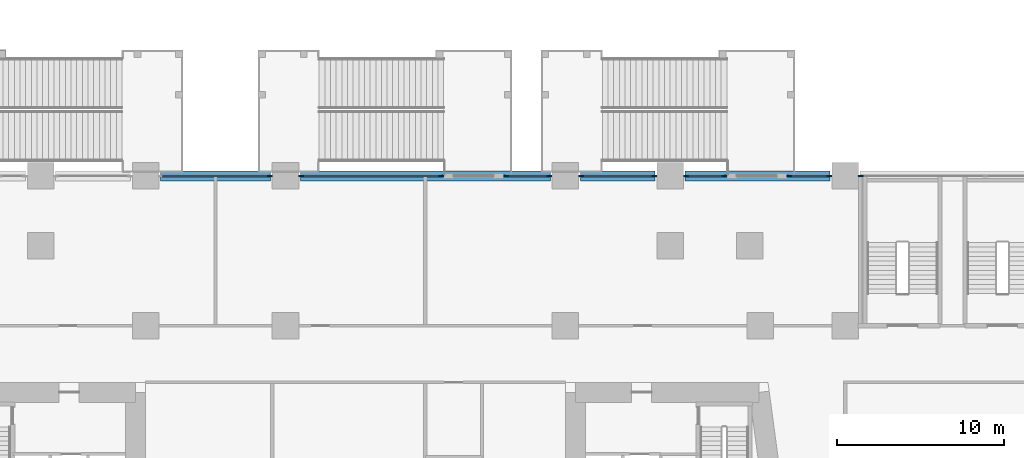
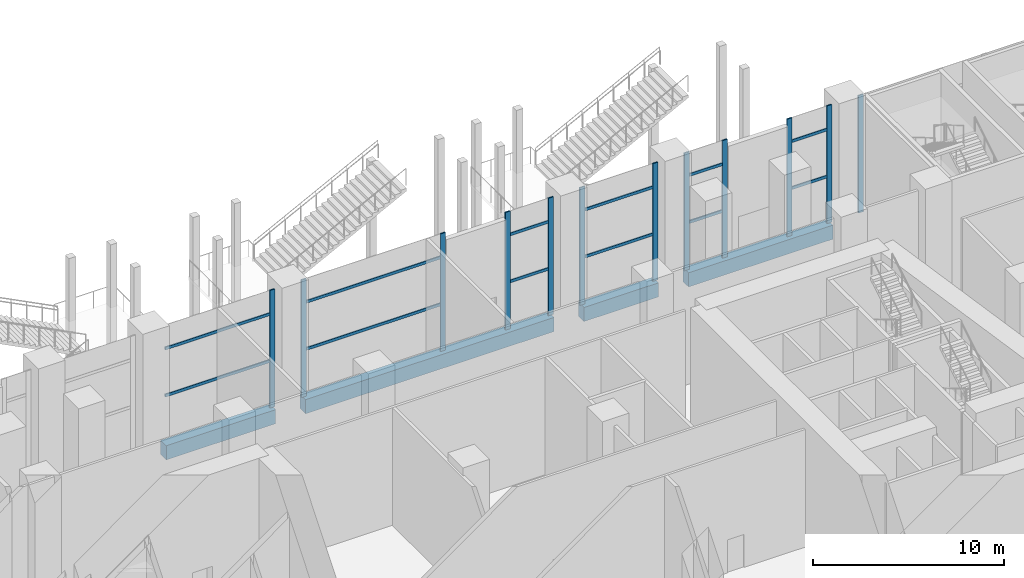
# One storey, part 11 of 52: 24 members, 4 beams, 7 elements without a shape of their own.
"""IFC4 building model written with IfcOpenShell, lengths in metres."""

from ifc_helpers import new_model, si_unit, direction, frame, origin, origin_2d, place, context, subcontext, project, spatial, rectangle, extrude, material, material_profile, profile_set, type_object, element, aggregate, save


model = new_model("IFC4")

# Units and contexts
model_context = context("Model", 3, precision=1e-05, world=origin(), true_north=direction((0.0, 1.0)))
body_context = subcontext(model_context, "Body", "Model", "MODEL_VIEW")
ifc_project = project(units=[si_unit("LENGTHUNIT", "METRE"), si_unit("AREAUNIT", "SQUARE_METRE"), si_unit("VOLUMEUNIT", "CUBIC_METRE"), si_unit("PLANEANGLEUNIT", "RADIAN"), si_unit("MASSUNIT", "GRAM", prefix="KILO")], contexts=[model_context])

# Site, building, storey
site_placement = place(None, origin())
site = spatial("IfcSite", under=ifc_project, at=site_placement, CompositionType="ELEMENT")
building_placement = place(site_placement, origin())
building = spatial("IfcBuilding", under=site, at=building_placement, Name="Candeia Pilgrim Tower and Theatre", CompositionType="ELEMENT")
storey_placement = place(building_placement, frame((0.0, 0.0, 9.0)))
storey = spatial("IfcBuildingStorey", under=building, at=storey_placement, Name="L01", CompositionType="ELEMENT", Elevation=9.0)

# Curtain wall, member
ifc_material_1 = material(Name="Aluminium framed podium glazing", Category="aluminium")
curtain_wall_type = type_object("IfcCurtainWallType", Name="CW-P curtain wall", PredefinedType="NOTDEFINED", material=ifc_material_1)
curtain_wall_1_placement = place(storey_placement, origin())
curtain_wall_1 = element("IfcCurtainWall", 1, at=curtain_wall_1_placement, inside=storey, type_object=curtain_wall_type, Name="Curtain wall CW-P L01.130", PredefinedType="NOTDEFINED")
ifc_material_2 = material(Name="Anodised aluminium", Category="aluminium")
ifc_material_profile_1 = material_profile(ifc_material_2, rectangle(XDim=0.080078125, YDim=0.300048828125, at=origin_2d()))
ifc_profile_set_1 = profile_set([ifc_material_profile_1], Name="Anodised aluminium")
member_type_1 = type_object("IfcMemberType", Name="CW-P mullion 80x300", PredefinedType="MULLION", material=ifc_profile_set_1)
member_1_placement = place(storey_placement, frame((108.25, 144.800048828125, 0.0), z_axis=(0.0, 0.0, 1.0), x_axis=(0.0, 1.0, 0.0)))
member_1 = element("IfcMember", 2, at=member_1_placement, type_object=member_type_1, Name="CW-P mullion 2", PredefinedType="MULLION", context=body_context, shape_type="SweptSolid", body=[
    extrude(rectangle(XDim=0.080078125, YDim=0.300048828125, at=origin_2d()), origin(), (0.0, 0.0, 1.0), 7.5),
])

# Curtain wall, members
curtain_wall_2_placement = place(storey_placement, origin())
curtain_wall_2 = element("IfcCurtainWall", 3, at=curtain_wall_2_placement, inside=storey, type_object=curtain_wall_type, Name="Curtain wall CW-P L01.140", PredefinedType="NOTDEFINED")
member_2_placement = place(storey_placement, frame((110.14990234375, 144.800048828125, 0.0), z_axis=(0.0, 0.0, 1.0), x_axis=(0.0, 1.0, 0.0)))
member_2 = element("IfcMember", 4, at=member_2_placement, type_object=member_type_1, Name="CW-P mullion 1", PredefinedType="MULLION", context=body_context, shape_type="SweptSolid", body=[
    extrude(rectangle(XDim=0.080078125, YDim=0.300048828125, at=origin_2d()), origin(), (0.0, 0.0, 1.0), 7.5),
])
member_3_placement = place(storey_placement, frame((118.550048828125, 144.800048828125, 0.0), z_axis=(0.0, 0.0, 1.0), x_axis=(0.0, 1.0, 0.0)))
member_3 = element("IfcMember", 5, at=member_3_placement, type_object=member_type_1, Name="CW-P mullion 2", PredefinedType="MULLION", context=body_context, shape_type="SweptSolid", body=[
    extrude(rectangle(XDim=0.080078125, YDim=0.300048828125, at=origin_2d()), origin(), (0.0, 0.0, 1.0), 7.5),
])

curtain_wall_3_placement = place(storey_placement, origin())
curtain_wall_3 = element("IfcCurtainWall", 6, at=curtain_wall_3_placement, inside=storey, type_object=curtain_wall_type, Name="Curtain wall CW-P L01.141", PredefinedType="NOTDEFINED")
member_4_placement = place(storey_placement, frame((122.449951171875, 144.800048828125, 0.0), z_axis=(0.0, 0.0, 1.0), x_axis=(0.0, 1.0, 0.0)))
member_4 = element("IfcMember", 7, at=member_4_placement, type_object=member_type_1, Name="CW-P mullion 1", PredefinedType="MULLION", context=body_context, shape_type="SweptSolid", body=[
    extrude(rectangle(XDim=0.080078125, YDim=0.300048828125, at=origin_2d()), origin(), (0.0, 0.0, 1.0), 7.5),
])
member_5_placement = place(storey_placement, frame((125.050048828125, 144.800048828125, 0.0), z_axis=(0.0, 0.0, 1.0), x_axis=(0.0, 1.0, 0.0)))
member_5 = element("IfcMember", 8, at=member_5_placement, type_object=member_type_1, Name="CW-P mullion 2", PredefinedType="MULLION", context=body_context, shape_type="SweptSolid", body=[
    extrude(rectangle(XDim=0.080078125, YDim=0.300048828125, at=origin_2d()), origin(), (0.0, 0.0, 1.0), 7.5),
])

curtain_wall_4_placement = place(storey_placement, origin())
curtain_wall_4 = element("IfcCurtainWall", 9, at=curtain_wall_4_placement, inside=storey, type_object=curtain_wall_type, Name="Curtain wall CW-P L01.150", PredefinedType="NOTDEFINED")
member_6_placement = place(storey_placement, frame((126.949951171875, 144.800048828125, 0.0), z_axis=(0.0, 0.0, 1.0), x_axis=(0.0, 1.0, 0.0)))
member_6 = element("IfcMember", 10, at=member_6_placement, type_object=member_type_1, Name="CW-P mullion 1", PredefinedType="MULLION", context=body_context, shape_type="SweptSolid", body=[
    extrude(rectangle(XDim=0.080078125, YDim=0.300048828125, at=origin_2d()), origin(), (0.0, 0.0, 1.0), 7.5),
])
member_7_placement = place(storey_placement, frame((131.35009765625, 144.800048828125, 0.0), z_axis=(0.0, 0.0, 1.0), x_axis=(0.0, 1.0, 0.0)))
member_7 = element("IfcMember", 11, at=member_7_placement, type_object=member_type_1, Name="CW-P mullion 2", PredefinedType="MULLION", context=body_context, shape_type="SweptSolid", body=[
    extrude(rectangle(XDim=0.080078125, YDim=0.300048828125, at=origin_2d()), origin(), (0.0, 0.0, 1.0), 7.5),
])

curtain_wall_5_placement = place(storey_placement, origin())
curtain_wall_5 = element("IfcCurtainWall", 12, at=curtain_wall_5_placement, inside=storey, type_object=curtain_wall_type, Name="Curtain wall CW-P L01.160", PredefinedType="NOTDEFINED")
member_8_placement = place(storey_placement, frame((133.25, 144.800048828125, 0.0), z_axis=(0.0, 0.0, 1.0), x_axis=(0.0, 1.0, 0.0)))
member_8 = element("IfcMember", 13, at=member_8_placement, type_object=member_type_1, Name="CW-P mullion 1", PredefinedType="MULLION", context=body_context, shape_type="SweptSolid", body=[
    extrude(rectangle(XDim=0.080078125, YDim=0.300048828125, at=origin_2d()), origin(), (0.0, 0.0, 1.0), 7.5),
])
member_9_placement = place(storey_placement, frame((135.550048828125, 144.800048828125, 0.0), z_axis=(0.0, 0.0, 1.0), x_axis=(0.0, 1.0, 0.0)))
member_9 = element("IfcMember", 14, at=member_9_placement, type_object=member_type_1, Name="CW-P mullion 2", PredefinedType="MULLION", context=body_context, shape_type="SweptSolid", body=[
    extrude(rectangle(XDim=0.080078125, YDim=0.300048828125, at=origin_2d()), origin(), (0.0, 0.0, 1.0), 7.5),
])

curtain_wall_6_placement = place(storey_placement, origin())
curtain_wall_6 = element("IfcCurtainWall", 15, at=curtain_wall_6_placement, inside=storey, type_object=curtain_wall_type, Name="Curtain wall CW-P L01.161", PredefinedType="NOTDEFINED")
member_10_placement = place(storey_placement, frame((139.449951171875, 144.800048828125, 0.0), z_axis=(0.0, 0.0, 1.0), x_axis=(0.0, 1.0, 0.0)))
member_10 = element("IfcMember", 16, at=member_10_placement, type_object=member_type_1, Name="CW-P mullion 1", PredefinedType="MULLION", context=body_context, shape_type="SweptSolid", body=[
    extrude(rectangle(XDim=0.080078125, YDim=0.300048828125, at=origin_2d()), origin(), (0.0, 0.0, 1.0), 7.5),
])
member_11_placement = place(storey_placement, frame((141.85009765625, 144.800048828125, 0.0), z_axis=(0.0, 0.0, 1.0), x_axis=(0.0, 1.0, 0.0)))
member_11 = element("IfcMember", 17, at=member_11_placement, type_object=member_type_1, Name="CW-P mullion 2", PredefinedType="MULLION", context=body_context, shape_type="SweptSolid", body=[
    extrude(rectangle(XDim=0.080078125, YDim=0.300048828125, at=origin_2d()), origin(), (0.0, 0.0, 1.0), 7.5),
])

# Curtain wall, member
curtain_wall_7_placement = place(storey_placement, origin())
curtain_wall_7 = element("IfcCurtainWall", 18, at=curtain_wall_7_placement, inside=storey, type_object=curtain_wall_type, Name="Curtain wall CW-P L01.170", PredefinedType="NOTDEFINED")
member_12_placement = place(storey_placement, frame((143.75, 144.800048828125, 0.0), z_axis=(0.0, 0.0, 1.0), x_axis=(0.0, 1.0, 0.0)))
member_12 = element("IfcMember", 19, at=member_12_placement, type_object=member_type_1, Name="CW-P mullion 1", PredefinedType="MULLION", context=body_context, shape_type="SweptSolid", body=[
    extrude(rectangle(XDim=0.080078125, YDim=0.300048828125, at=origin_2d()), origin(), (0.0, 0.0, 1.0), 7.5),
])
aggregate(curtain_wall_7, [member_12])

# Member
ifc_material_profile_2 = material_profile(ifc_material_2, rectangle(XDim=0.080078125, YDim=0.179931640625, at=origin_2d()))
ifc_profile_set_2 = profile_set([ifc_material_profile_2], Name="Anodised aluminium")
member_type_2 = type_object("IfcMemberType", Name="CW-P transom 80x180", PredefinedType="USERDEFINED", material=ifc_profile_set_2)
member_13_placement = place(storey_placement, frame((101.7900390625, 144.800048828125, 3.0), z_axis=(1.0, 0.0, 0.0), x_axis=(0.0, 1.0, 0.0)))
member_13 = element("IfcMember", 20, at=member_13_placement, type_object=member_type_2, Name="CW-P transom 1.1", ObjectType="TRANSOM", PredefinedType="USERDEFINED", context=body_context, shape_type="SweptSolid", body=[
    extrude(rectangle(XDim=0.080078125, YDim=0.179931640625, at=origin_2d()), origin(), (0.0, 0.0, 1.0), 6.419921875),
])

member_14_placement = place(storey_placement, frame((101.7900390625, 144.800048828125, 6.0), z_axis=(1.0, 0.0, 0.0), x_axis=(0.0, 1.0, 0.0)))
member_14 = element("IfcMember", 21, at=member_14_placement, type_object=member_type_2, Name="CW-P transom 1.2", ObjectType="TRANSOM", PredefinedType="USERDEFINED", context=body_context, shape_type="SweptSolid", body=[
    extrude(rectangle(XDim=0.080078125, YDim=0.179931640625, at=origin_2d()), origin(), (0.0, 0.0, 1.0), 6.419921875),
])

aggregate(curtain_wall_1, [member_1, member_13, member_14])

member_15_placement = place(storey_placement, frame((110.18994140625, 144.800048828125, 3.0), z_axis=(1.0, 0.0, 0.0), x_axis=(0.0, 1.0, 0.0)))
member_15 = element("IfcMember", 22, at=member_15_placement, type_object=member_type_2, Name="CW-P transom 1.1", ObjectType="TRANSOM", PredefinedType="USERDEFINED", context=body_context, shape_type="SweptSolid", body=[
    extrude(rectangle(XDim=0.080078125, YDim=0.179931640625, at=origin_2d()), origin(), (0.0, 0.0, 1.0), 8.320068359375),
])

member_16_placement = place(storey_placement, frame((110.18994140625, 144.800048828125, 6.0), z_axis=(1.0, 0.0, 0.0), x_axis=(0.0, 1.0, 0.0)))
member_16 = element("IfcMember", 23, at=member_16_placement, type_object=member_type_2, Name="CW-P transom 1.2", ObjectType="TRANSOM", PredefinedType="USERDEFINED", context=body_context, shape_type="SweptSolid", body=[
    extrude(rectangle(XDim=0.080078125, YDim=0.179931640625, at=origin_2d()), origin(), (0.0, 0.0, 1.0), 8.320068359375),
])

aggregate(curtain_wall_2, [member_2, member_3, member_15, member_16])

member_17_placement = place(storey_placement, frame((122.489990234375, 144.800048828125, 3.0), z_axis=(1.0, 0.0, 0.0), x_axis=(0.0, 1.0, 0.0)))
member_17 = element("IfcMember", 24, at=member_17_placement, type_object=member_type_2, Name="CW-P transom 1.1", ObjectType="TRANSOM", PredefinedType="USERDEFINED", context=body_context, shape_type="SweptSolid", body=[
    extrude(rectangle(XDim=0.080078125, YDim=0.179931640625, at=origin_2d()), origin(), (0.0, 0.0, 1.0), 2.52001953125),
])

member_18_placement = place(storey_placement, frame((122.489990234375, 144.800048828125, 6.0), z_axis=(1.0, 0.0, 0.0), x_axis=(0.0, 1.0, 0.0)))
member_18 = element("IfcMember", 25, at=member_18_placement, type_object=member_type_2, Name="CW-P transom 1.2", ObjectType="TRANSOM", PredefinedType="USERDEFINED", context=body_context, shape_type="SweptSolid", body=[
    extrude(rectangle(XDim=0.080078125, YDim=0.179931640625, at=origin_2d()), origin(), (0.0, 0.0, 1.0), 2.52001953125),
])

aggregate(curtain_wall_3, [member_4, member_5, member_17, member_18])

member_19_placement = place(storey_placement, frame((126.989990234375, 144.800048828125, 3.0), z_axis=(1.0, 0.0, 0.0), x_axis=(0.0, 1.0, 0.0)))
member_19 = element("IfcMember", 26, at=member_19_placement, type_object=member_type_2, Name="CW-P transom 1.1", ObjectType="TRANSOM", PredefinedType="USERDEFINED", context=body_context, shape_type="SweptSolid", body=[
    extrude(rectangle(XDim=0.080078125, YDim=0.179931640625, at=origin_2d()), origin(), (0.0, 0.0, 1.0), 4.320068359375),
])

member_20_placement = place(storey_placement, frame((126.989990234375, 144.800048828125, 6.0), z_axis=(1.0, 0.0, 0.0), x_axis=(0.0, 1.0, 0.0)))
member_20 = element("IfcMember", 27, at=member_20_placement, type_object=member_type_2, Name="CW-P transom 1.2", ObjectType="TRANSOM", PredefinedType="USERDEFINED", context=body_context, shape_type="SweptSolid", body=[
    extrude(rectangle(XDim=0.080078125, YDim=0.179931640625, at=origin_2d()), origin(), (0.0, 0.0, 1.0), 4.320068359375),
])

aggregate(curtain_wall_4, [member_6, member_7, member_19, member_20])

member_21_placement = place(storey_placement, frame((133.2900390625, 144.800048828125, 3.0), z_axis=(1.0, 0.0, 0.0), x_axis=(0.0, 1.0, 0.0)))
member_21 = element("IfcMember", 28, at=member_21_placement, type_object=member_type_2, Name="CW-P transom 1.1", ObjectType="TRANSOM", PredefinedType="USERDEFINED", context=body_context, shape_type="SweptSolid", body=[
    extrude(rectangle(XDim=0.080078125, YDim=0.179931640625, at=origin_2d()), origin(), (0.0, 0.0, 1.0), 2.219970703125),
])

member_22_placement = place(storey_placement, frame((133.2900390625, 144.800048828125, 6.0), z_axis=(1.0, 0.0, 0.0), x_axis=(0.0, 1.0, 0.0)))
member_22 = element("IfcMember", 29, at=member_22_placement, type_object=member_type_2, Name="CW-P transom 1.2", ObjectType="TRANSOM", PredefinedType="USERDEFINED", context=body_context, shape_type="SweptSolid", body=[
    extrude(rectangle(XDim=0.080078125, YDim=0.179931640625, at=origin_2d()), origin(), (0.0, 0.0, 1.0), 2.219970703125),
])

aggregate(curtain_wall_5, [member_8, member_9, member_21, member_22])

member_23_placement = place(storey_placement, frame((139.489990234375, 144.800048828125, 3.0), z_axis=(1.0, 0.0, 0.0), x_axis=(0.0, 1.0, 0.0)))
member_23 = element("IfcMember", 30, at=member_23_placement, type_object=member_type_2, Name="CW-P transom 1.1", ObjectType="TRANSOM", PredefinedType="USERDEFINED", context=body_context, shape_type="SweptSolid", body=[
    extrude(rectangle(XDim=0.080078125, YDim=0.179931640625, at=origin_2d()), origin(), (0.0, 0.0, 1.0), 2.320068359375),
])

member_24_placement = place(storey_placement, frame((139.489990234375, 144.800048828125, 6.0), z_axis=(1.0, 0.0, 0.0), x_axis=(0.0, 1.0, 0.0)))
member_24 = element("IfcMember", 31, at=member_24_placement, type_object=member_type_2, Name="CW-P transom 1.2", ObjectType="TRANSOM", PredefinedType="USERDEFINED", context=body_context, shape_type="SweptSolid", body=[
    extrude(rectangle(XDim=0.080078125, YDim=0.179931640625, at=origin_2d()), origin(), (0.0, 0.0, 1.0), 2.320068359375),
])

aggregate(curtain_wall_6, [member_10, member_11, member_23, member_24])

# Beams
ifc_material_3 = material(Name="Concrete C80/95", Category="concrete")
ifc_material_profile_3 = material_profile(ifc_material_3, rectangle(XDim=0.60009765625, YDim=0.89990234375, at=origin_2d()))
ifc_profile_set_3 = profile_set([ifc_material_profile_3], Name="Concrete C80/95")
beam_type = type_object("IfcBeamType", Name="RC 600x900 C80/95", PredefinedType="BEAM", material=ifc_profile_set_3)
beam_1_placement = place(storey_placement, frame((141.89990234375, 144.800048828125, -0.449951171875), z_axis=(-1.0, 0.0, 0.0), x_axis=(0.0, -1.0, 0.0)))
element("IfcBeam", 32, at=beam_1_placement, inside=storey, type_object=beam_type, Name="Spandrel beam L01-09", PredefinedType="BEAM", context=body_context, shape_type="SweptSolid", body=[
    extrude(rectangle(XDim=0.60009765625, YDim=0.89990234375, at=origin_2d()), origin(), (0.0, 0.0, 1.0), 8.699951171875),
])
beam_2_placement = place(storey_placement, frame((131.39990234375, 144.800048828125, -0.449951171875), z_axis=(-1.0, 0.0, 0.0), x_axis=(0.0, -1.0, 0.0)))
element("IfcBeam", 33, at=beam_2_placement, inside=storey, type_object=beam_type, Name="Spandrel beam L01-10", PredefinedType="BEAM", context=body_context, shape_type="SweptSolid", body=[
    extrude(rectangle(XDim=0.60009765625, YDim=0.89990234375, at=origin_2d()), origin(), (0.0, 0.0, 1.0), 4.5),
])
beam_3_placement = place(storey_placement, frame((125.10009765625, 144.800048828125, -0.449951171875), z_axis=(-1.0, 0.0, 0.0), x_axis=(0.0, -1.0, 0.0)))
element("IfcBeam", 34, at=beam_3_placement, inside=storey, type_object=beam_type, Name="Spandrel beam L01-11", PredefinedType="BEAM", context=body_context, shape_type="SweptSolid", body=[
    extrude(rectangle(XDim=0.60009765625, YDim=0.89990234375, at=origin_2d()), origin(), (0.0, 0.0, 1.0), 15.0),
])
beam_4_placement = place(storey_placement, frame((108.300048828125, 144.800048828125, -0.449951171875), z_axis=(-1.0, 0.0, 0.0), x_axis=(0.0, -1.0, 0.0)))
element("IfcBeam", 35, at=beam_4_placement, inside=storey, type_object=beam_type, Name="Spandrel beam L01-12", PredefinedType="BEAM", context=body_context, shape_type="SweptSolid", body=[
    extrude(rectangle(XDim=0.60009765625, YDim=0.89990234375, at=origin_2d()), origin(), (0.0, 0.0, 1.0), 6.60009765625),
])

save(model, "model.ifc")
